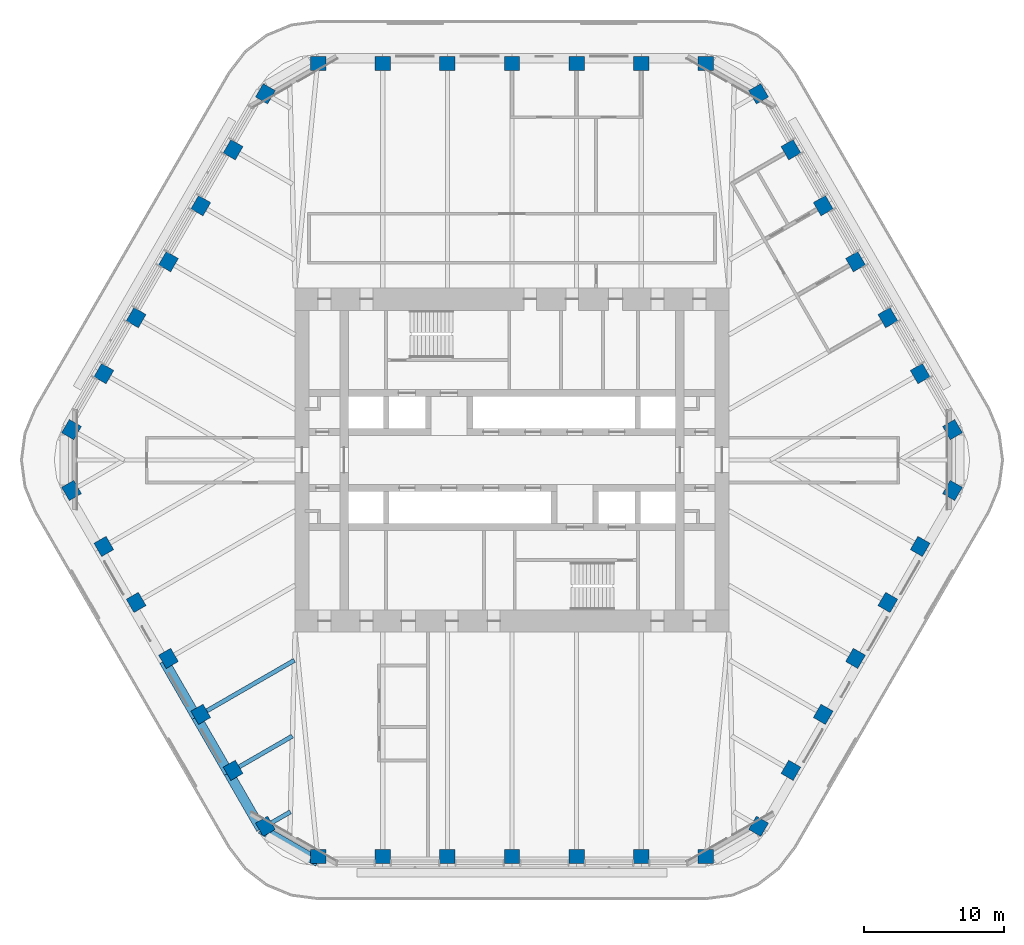
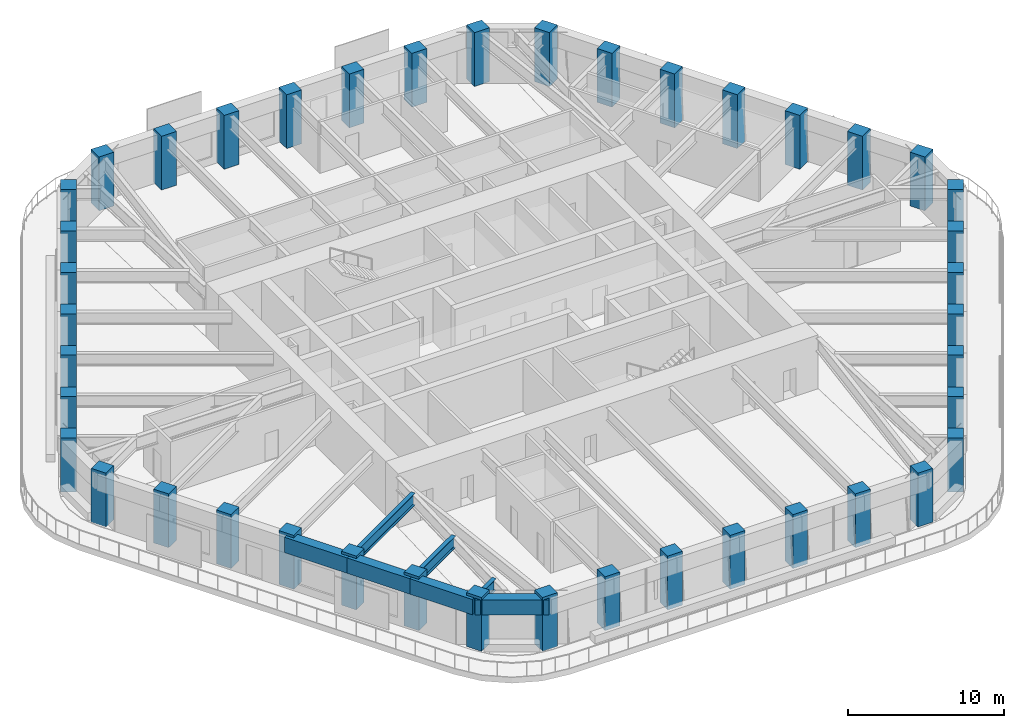
# One storey, part 1 of 20: 42 columns, 7 beams.
"""IFC4 building model written with IfcOpenShell, lengths in metres."""

import ifcopenshell
import ifcopenshell.guid

model = None  # the IFC model being written
_history = None  # IfcOwnerHistory: only IFC2X3 demands one
_inside = {}  # id of a spatial element -> (the spatial element, [elements in it])
_under = {}  # id of a project, library or spatial element -> (it, [spatial elements below it])
_declared = {}  # id of a project -> (the project, [libraries it declares])
_typed = {}  # id of a type object -> (the type object, [elements of that type])
_made_of = {}  # id of a material, layer set ... -> (it, [elements and type objects made of it])


def new_model(schema):
    """Start an empty IFC model of exactly this schema.

    Asked for "IFC4X3", IfcOpenShell would pick the latest addendum, in which some entities
    have other attributes; the version numbers below select the first issue.
    IFC2X3 requires an IfcOwnerHistory on every rooted entity: one is made here for all.
    """
    global model, _history
    if schema == "IFC4X3":
        model = ifcopenshell.file(schema_version=(4, 3, 0, 0))
    else:
        model = ifcopenshell.file(schema=schema)
    _inside.clear()
    _under.clear()
    _declared.clear()
    _typed.clear()
    _made_of.clear()
    _history = None
    if model.schema == "IFC2X3":
        org = make("IfcOrganization", Name="unknown")
        user = make(
            "IfcPersonAndOrganization",
            ThePerson=make("IfcPerson", FamilyName="unknown"),
            TheOrganization=org,
        )
        app = make(
            "IfcApplication",
            ApplicationDeveloper=org,
            Version="unknown",
            ApplicationFullName="unknown",
            ApplicationIdentifier="unknown",
        )
        _history = make(
            "IfcOwnerHistory",
            OwningUser=user,
            OwningApplication=app,
            ChangeAction="ADDED",
            CreationDate=0,
        )
    return model


def make(cls, **values):
    """One entity of the class cls with the attributes given. An attribute that is None is left unset."""
    return model.create_entity(
        cls, **{name: value for name, value in values.items() if value is not None}
    )


def rooted(cls, **values):
    """An entity with a GlobalId (a new one), such as an element, a storey or a relation."""
    return make(cls, GlobalId=ifcopenshell.guid.new(), OwnerHistory=_history, **values)


def si_unit(unit_type, name, prefix=None):
    """IfcSIUnit, for example si_unit("LENGTHUNIT", "METRE", prefix="MILLI")."""
    return make("IfcSIUnit", UnitType=unit_type, Prefix=prefix, Name=name)


def assignment(units):
    """IfcUnitAssignment: the units of a project."""
    return None if units is None else make("IfcUnitAssignment", Units=units)


def point(xyz):
    """IfcCartesianPoint."""
    return None if xyz is None else make("IfcCartesianPoint", Coordinates=xyz)


def direction(xyz):
    """IfcDirection."""
    return None if xyz is None else make("IfcDirection", DirectionRatios=xyz)


def frame(location, z_axis=None, x_axis=None):
    """IfcAxis2Placement3D, a coordinate frame: its origin and axes. An axis left out is left unset."""
    return make(
        "IfcAxis2Placement3D",
        Location=point(location),
        Axis=direction(z_axis),
        RefDirection=direction(x_axis),
    )


def frame_2d(location, x_axis=None):
    """IfcAxis2Placement2D, a coordinate frame in the plane: its origin and x axis."""
    return make(
        "IfcAxis2Placement2D", Location=point(location), RefDirection=direction(x_axis)
    )


def origin():
    """The frame at (0, 0, 0) with its axes left unset."""
    return frame((0.0, 0.0, 0.0))


def origin_2d():
    """The frame at (0, 0) in the plane with its x axis left unset."""
    return frame_2d((0.0, 0.0))


def place(relative_to, where):
    """IfcLocalPlacement: puts the frame where relative to a parent placement (None: the world)."""
    return make(
        "IfcLocalPlacement", PlacementRelTo=relative_to, RelativePlacement=where
    )


def context(
    kind, dimensions, precision=None, world=None, true_north=None, identifier=None
):
    """IfcGeometricRepresentationContext, for example the 3D "Model" context."""
    return make(
        "IfcGeometricRepresentationContext",
        ContextIdentifier=identifier,
        ContextType=kind,
        CoordinateSpaceDimension=dimensions,
        Precision=precision,
        WorldCoordinateSystem=world,
        TrueNorth=true_north,
    )


def subcontext(parent, identifier, kind, view, scale=None):
    """IfcGeometricRepresentationSubContext, for example "Body" below "Model"."""
    return make(
        "IfcGeometricRepresentationSubContext",
        ContextIdentifier=identifier,
        ContextType=kind,
        ParentContext=parent,
        TargetScale=scale,
        TargetView=view,
    )


def project(units=None, contexts=None):
    """IfcProject with its units and contexts."""
    return rooted(
        "IfcProject",
        Name="project",
        RepresentationContexts=contexts,
        UnitsInContext=assignment(units),
    )


def spatial(cls, under=None, at=None, **own):
    """A site, building, storey or space (cls), placed at a placement, below another one or the project."""
    s = rooted(cls, ObjectPlacement=at, **own)
    if under is not None:
        _under.setdefault(under.id(), (under, []))[1].append(s)
    return s


def profile(cls, at=None, kind="AREA", **sizes):
    """A parametric profile (cls). Its sizes go by their IFC names, for example OverallWidth=200.0."""
    return make(cls, ProfileType=kind, Position=at, **sizes)


def rectangle(**sizes):
    """IfcRectangleProfileDef."""
    return profile("IfcRectangleProfileDef", **sizes)


def i_section(**sizes):
    """IfcIShapeProfileDef."""
    return profile("IfcIShapeProfileDef", **sizes)


def extrude(swept, where, along, depth):
    """IfcExtrudedAreaSolid: the profile swept, set in the frame where, extruded along a direction by depth."""
    return make(
        "IfcExtrudedAreaSolid",
        SweptArea=swept,
        Position=where,
        ExtrudedDirection=direction(along),
        Depth=depth,
    )


def shape(context_of_items, identifier, shape_type, items):
    """IfcShapeRepresentation: the items that make up one representation, for example the "Body"."""
    return make(
        "IfcShapeRepresentation",
        ContextOfItems=context_of_items,
        RepresentationIdentifier=identifier,
        RepresentationType=shape_type,
        Items=items,
    )


def material(Name=None, Category=None):
    """IfcMaterial."""
    return make("IfcMaterial", Name=Name, Category=Category)


def material_profile(
    of_material, cross_section, Name=None, Category=None, Priority=None
):
    """IfcMaterialProfile: a cross section and its material."""
    return make(
        "IfcMaterialProfile",
        Name=Name,
        Material=of_material,
        Profile=cross_section,
        Priority=Priority,
        Category=Category,
    )


def profile_set(profiles, Name=None, composite=None):
    """IfcMaterialProfileSet."""
    return make(
        "IfcMaterialProfileSet",
        Name=Name,
        MaterialProfiles=profiles,
        CompositeProfile=composite,
    )


def made_of(thing, what):
    """Note that an element or type object is made of a material, layer set ...; save() writes the relation."""
    if what is not None:
        _made_of.setdefault(what.id(), (what, []))[1].append(thing)
    return thing


def type_object(cls, material=None, **own):
    """A type object (cls), such as IfcWallType, which elements share."""
    return made_of(rooted(cls, **own), material)


def element(
    cls,
    number,
    at=None,
    inside=None,
    cuts=None,
    type_object=None,
    material=None,
    context=None,
    identifier="Body",
    shape_type=None,
    held_by="IfcProductDefinitionShape",
    body=None,
    shapes=None,
    **own,
):
    """One element of the class cls, such as IfcWall. Its Tag is "e" and its number.

    at: its placement. inside: the storey or other place that contains it. cuts: it is an
    opening in that element (IfcRelVoidsElement). A single representation is given by context,
    identifier, shape_type and body (its items); several are given by shapes. held_by: the class
    of the entity that holds the representations. save() writes the other relations.
    """
    e = rooted(cls, Tag="e%d" % number, ObjectPlacement=at, **own)
    if body is not None:
        shapes = [shape(context, identifier, shape_type, body)]
    if shapes is not None:
        e.Representation = make(held_by, Representations=shapes)
    if inside is not None:
        _inside.setdefault(inside.id(), (inside, []))[1].append(e)
    if cuts is not None:
        rooted(
            "IfcRelVoidsElement", RelatingBuildingElement=cuts, RelatedOpeningElement=e
        )
    if type_object is not None:
        _typed.setdefault(type_object.id(), (type_object, []))[1].append(e)
    return made_of(e, material)


def aggregate(whole, parts):
    """IfcRelAggregates: a whole, such as a stair, and the parts it consists of."""
    return rooted("IfcRelAggregates", RelatingObject=whole, RelatedObjects=parts)


def save(model, path):
    """Write the relations noted so far, then the file.

    IfcRelAggregates (storeys below a building ...), IfcRelContainedInSpatialStructure (elements
    in a storey), IfcRelDefinesByType, IfcRelAssociatesMaterial and IfcRelDeclares: one each for
    every whole, place, type object, material and project.
    """
    for whole, parts in _under.values():
        aggregate(whole, parts)
    for where, things in _inside.values():
        rooted(
            "IfcRelContainedInSpatialStructure",
            RelatedElements=things,
            RelatingStructure=where,
        )
    for kind, things in _typed.values():
        rooted("IfcRelDefinesByType", RelatedObjects=things, RelatingType=kind)
    for what, things in _made_of.values():
        rooted("IfcRelAssociatesMaterial", RelatedObjects=things, RelatingMaterial=what)
    for by, libraries in _declared.values():
        rooted("IfcRelDeclares", RelatingContext=by, RelatedDefinitions=libraries)
    model.write(path)


model = new_model("IFC4")

# Units and contexts
model_context = context("Model", 3, precision=1e-05, world=origin(), true_north=direction((0.0, 1.0)))
body_context = subcontext(model_context, "Body", "Model", "MODEL_VIEW")
ifc_project = project(units=[si_unit("LENGTHUNIT", "METRE"), si_unit("AREAUNIT", "SQUARE_METRE"), si_unit("VOLUMEUNIT", "CUBIC_METRE"), si_unit("PLANEANGLEUNIT", "RADIAN"), si_unit("MASSUNIT", "GRAM", prefix="KILO")], contexts=[model_context])

# Site, building, storey
site_placement = place(None, origin())
site = spatial("IfcSite", under=ifc_project, at=site_placement, CompositionType="ELEMENT")
building_placement = place(site_placement, origin())
building = spatial("IfcBuilding", under=site, at=building_placement, Name="Tarfa Lantern Tower", CompositionType="ELEMENT")
storey_placement = place(building_placement, frame((0.0, 0.0, 291.10009765625)))
storey = spatial("IfcBuildingStorey", under=building, at=storey_placement, Name="L66", CompositionType="ELEMENT", Elevation=291.10009765625)

# Columns
ifc_material_1 = material(Name="Concrete C80/95", Category="concrete")
ifc_material_profile_1 = material_profile(ifc_material_1, rectangle(XDim=1.10009765625, YDim=1.0, at=origin_2d()), Name="RC 1100x1000")
ifc_profile_set_1 = profile_set([ifc_material_profile_1], Name="Concrete C80/95")
column_type = type_object("IfcColumnType", Name="TC12 RC 1100x1000", PredefinedType="COLUMN", material=ifc_profile_set_1)
for number, where, z_axis, x_axis, name in (
    (1, (31.47998046875, 2.175048828125, 0.0), (0.0, 0.0, 1.0), (-0.5, 0.866025403784, 0.0), "Tube column NE0"),
    (2, (29.170654296875, 6.175048828125, 0.0), (0.0, 0.0, 1.0), (-0.5, 0.866025403784, 0.0), "Tube column NE1"),
    (3, (26.861328125, 10.175048828125, 0.0), (0.0, 0.0, 1.0), (-0.5, 0.866025403784, 0.0), "Tube column NE2"),
    (4, (24.5517578125, 14.175048828125, 0.0), (0.0, 0.0, 1.0), (-0.5, 0.866025403784, 0.0), "Tube column NE3"),
    (5, (22.242431640625, 18.175048828125, 0.0), (0.0, 0.0, 1.0), (-0.5, 0.866025403784, 0.0), "Tube column NE4"),
    (6, (19.93310546875, 22.175048828125, 0.0), (0.0, 0.0, 1.0), (-0.5, 0.866025403784, 0.0), "Tube column NE5"),
    (7, (17.62353515625, 26.175048828125, 0.0), (0.0, 0.0, 1.0), (-0.5, 0.866025403784, 0.0), "Tube column NE6"),
    (8, (13.8564453125, 28.35009765625, 0.0), (0.0, 0.0, 1.0), (-1.0, 0.0, 0.0), "Tube column N0"),
    (9, (9.237548828125, 28.35009765625, 0.0), (0.0, 0.0, 1.0), (-1.0, 0.0, 0.0), "Tube column N1"),
    (10, (4.618896484375, 28.35009765625, 0.0), (0.0, 0.0, 1.0), (-1.0, 0.0, 0.0), "Tube column N2"),
    (11, (0.0, 28.35009765625, 0.0), (0.0, 0.0, 1.0), (-1.0, 0.0, 0.0), "Tube column N3"),
    (12, (-4.618896484375, 28.35009765625, 0.0), (0.0, 0.0, 1.0), (-1.0, 0.0, 0.0), "Tube column N4"),
    (13, (-9.237548828125, 28.35009765625, 0.0), (0.0, 0.0, 1.0), (-1.0, 0.0, 0.0), "Tube column N5"),
    (14, (-13.8564453125, 28.35009765625, 0.0), (0.0, 0.0, 1.0), (-1.0, 0.0, 0.0), "Tube column N6"),
    (15, (-17.62353515625, 26.175048828125, 0.0), (0.0, 0.0, 1.0), (-0.5, -0.866025403784, 0.0), "Tube column NW0"),
    (16, (-19.93310546875, 22.175048828125, 0.0), (0.0, 0.0, 1.0), (-0.5, -0.866025403784, 0.0), "Tube column NW1"),
    (17, (-22.242431640625, 18.175048828125, 0.0), (0.0, 0.0, 1.0), (-0.5, -0.866025403784, 0.0), "Tube column NW2"),
    (18, (-24.5517578125, 14.175048828125, 0.0), (0.0, 0.0, 1.0), (-0.5, -0.866025403784, 0.0), "Tube column NW3"),
    (19, (-26.861328125, 10.175048828125, 0.0), (0.0, 0.0, 1.0), (-0.5, -0.866025403784, 0.0), "Tube column NW4"),
    (20, (-29.170654296875, 6.175048828125, 0.0), (0.0, 0.0, 1.0), (-0.5, -0.866025403784, 0.0), "Tube column NW5"),
    (21, (-31.47998046875, 2.175048828125, 0.0), (0.0, 0.0, 1.0), (-0.5, -0.866025403784, 0.0), "Tube column NW6"),
    (22, (-31.47998046875, -2.175048828125, 0.0), (0.0, 0.0, 1.0), (0.5, -0.866025403784, 0.0), "Tube column SW0"),
    (23, (-29.170654296875, -6.175048828125, 0.0), (0.0, 0.0, 1.0), (0.5, -0.866025403784, 0.0), "Tube column SW1"),
    (24, (-26.861328125, -10.175048828125, 0.0), (0.0, 0.0, 1.0), (0.5, -0.866025403784, 0.0), "Tube column SW2"),
    (25, (-24.5517578125, -14.175048828125, 0.0), (0.0, 0.0, 1.0), (0.5, -0.866025403784, 0.0), "Tube column SW3"),
    (26, (-22.242431640625, -18.175048828125, 0.0), (0.0, 0.0, 1.0), (0.5, -0.866025403784, 0.0), "Tube column SW4"),
    (27, (-19.93310546875, -22.175048828125, 0.0), (0.0, 0.0, 1.0), (0.5, -0.866025403784, 0.0), "Tube column SW5"),
    (28, (-17.62353515625, -26.175048828125, 0.0), (0.0, 0.0, 1.0), (0.5, -0.866025403784, 0.0), "Tube column SW6"),
    (29, (-13.8564453125, -28.35009765625, 0.0), (0.0, 0.0, 1.0), (1.0, 0.0, 0.0), "Tube column S0"),
    (30, (-9.237548828125, -28.35009765625, 0.0), (0.0, 0.0, 1.0), (1.0, 0.0, 0.0), "Tube column S1"),
    (31, (-4.618896484375, -28.35009765625, 0.0), (0.0, 0.0, 1.0), (1.0, 0.0, 0.0), "Tube column S2"),
    (32, (0.0, -28.35009765625, 0.0), (0.0, 0.0, 1.0), (1.0, 0.0, 0.0), "Tube column S3"),
    (33, (4.618896484375, -28.35009765625, 0.0), (0.0, 0.0, 1.0), (1.0, 0.0, 0.0), "Tube column S4"),
    (34, (9.237548828125, -28.35009765625, 0.0), (0.0, 0.0, 1.0), (1.0, 0.0, 0.0), "Tube column S5"),
    (35, (13.8564453125, -28.35009765625, 0.0), (0.0, 0.0, 1.0), (1.0, 0.0, 0.0), "Tube column S6"),
    (36, (17.62353515625, -26.175048828125, 0.0), (0.0, 0.0, 1.0), (0.5, 0.866025403784, 0.0), "Tube column SE0"),
    (37, (19.93310546875, -22.175048828125, 0.0), (0.0, 0.0, 1.0), (0.5, 0.866025403784, 0.0), "Tube column SE1"),
    (38, (22.242431640625, -18.175048828125, 0.0), (0.0, 0.0, 1.0), (0.5, 0.866025403784, 0.0), "Tube column SE2"),
    (39, (24.5517578125, -14.175048828125, 0.0), (0.0, 0.0, 1.0), (0.5, 0.866025403784, 0.0), "Tube column SE3"),
    (40, (26.861328125, -10.175048828125, 0.0), (0.0, 0.0, 1.0), (0.5, 0.866025403784, 0.0), "Tube column SE4"),
    (41, (29.170654296875, -6.175048828125, 0.0), (0.0, 0.0, 1.0), (0.5, 0.866025403784, 0.0), "Tube column SE5"),
    (42, (31.47998046875, -2.175048828125, 0.0), (0.0, 0.0, 1.0), (0.5, 0.866025403784, 0.0), "Tube column SE6"),
):
    element("IfcColumn", number, at=place(storey_placement, frame(where, z_axis=z_axis, x_axis=x_axis)), inside=storey, type_object=column_type, Name=name, PredefinedType="COLUMN", context=body_context, shape_type="SweptSolid", body=[
        extrude(rectangle(XDim=1.10009765625, YDim=1.0, at=origin_2d()), origin(), (0.0, 0.0, 1.0), 4.199951171875),
    ])

# Beams
ifc_material_profile_2 = material_profile(ifc_material_1, rectangle(XDim=0.699951171875, YDim=1.199951171875, at=origin_2d()), Name="RC 700x1200")
ifc_profile_set_2 = profile_set([ifc_material_profile_2], Name="Concrete C80/95")
beam_type_1 = type_object("IfcBeamType", Name="EB3 RC 700x1200", PredefinedType="SPANDREL", material=ifc_profile_set_2)
beam_1_placement = place(storey_placement, frame((-24.872314453125, -14.360107421875, 3.39990234375), z_axis=(0.500027479704, -0.866009537788, 0.0), x_axis=(0.866009537788, 0.500027479704, 0.0)))
element("IfcBeam", 43, at=beam_1_placement, inside=storey, type_object=beam_type_1, Name="Edge beam SW3", PredefinedType="SPANDREL", context=body_context, shape_type="SweptSolid", body=[
    extrude(rectangle(XDim=0.699951171875, YDim=1.199951171875, at=origin_2d()), origin(), (0.0, 0.0, 1.0), 4.618896484375),
])
for number, where, z_axis, x_axis, name in (
    (44, (-22.562744140625, -18.360107421875, 3.39990234375), (0.499987836815, -0.866032426089, 0.0), (0.866032426089, 0.499987836815, 0.0), "Edge beam SW4"),
    (45, (-20.25341796875, -22.360107421875, 3.39990234375), (0.499987836815, -0.866032426089, 0.0), (0.866032426089, 0.499987836815, 0.0), "Edge beam SW5"),
):
    element("IfcBeam", number, at=place(storey_placement, frame(where, z_axis=z_axis, x_axis=x_axis)), inside=storey, type_object=beam_type_1, Name=name, PredefinedType="SPANDREL", context=body_context, shape_type="SweptSolid", body=[
        extrude(rectangle(XDim=0.699951171875, YDim=1.199951171875, at=origin_2d()), origin(), (0.0, 0.0, 1.0), 4.61865234375),
    ])
beam_2_placement = place(storey_placement, frame((-17.944091796875, -26.360107421875, 3.39990234375), z_axis=(0.866038294681, -0.499977671647, 0.0), x_axis=(0.499977671647, 0.866038294681, 0.0)))
element("IfcBeam", 46, at=beam_2_placement, inside=storey, type_object=beam_type_1, Name="Edge beam SW6", PredefinedType="SPANDREL", context=body_context, shape_type="SweptSolid", body=[
    extrude(rectangle(XDim=0.699951171875, YDim=1.199951171875, at=origin_2d()), origin(), (0.0, 0.0, 1.0), 4.719970703125),
])
ifc_material_2 = material(Name="Steel S460M", Category="steel")
ifc_material_profile_3 = material_profile(ifc_material_2, i_section(OverallWidth=0.305419921875, OverallDepth=0.91845703125, WebThickness=0.017333984375, FlangeThickness=0.02783203125, FilletRadius=0.01904296875, at=origin_2d()), Name="UB914x305x253")
ifc_profile_set_3 = profile_set([ifc_material_profile_3], Name="Steel S460M")
beam_type_2 = type_object("IfcBeamType", Name="UB914x305x253", PredefinedType="BEAM", material=ifc_profile_set_3)
beam_3_placement = place(storey_placement, frame((-22.562744140625, -18.360107421875, 3.540771484375), z_axis=(0.866010787764, 0.500025314835, 0.0), x_axis=(-0.500025314835, 0.866010787764, 0.0)))
element("IfcBeam", 47, at=beam_3_placement, inside=storey, type_object=beam_type_2, Name="Floor beam SW4", PredefinedType="BEAM", context=body_context, shape_type="SweptSolid", body=[
    extrude(i_section(OverallWidth=0.305419921875, OverallDepth=0.91845703125, WebThickness=0.017333984375, FlangeThickness=0.02783203125, FilletRadius=0.01904296875, at=origin_2d()), origin(), (0.0, 0.0, 1.0), 8.09423828125),
])
beam_4_placement = place(storey_placement, frame((-20.25341796875, -22.360107421875, 3.540771484375), z_axis=(0.86601951648, 0.500010196972, 0.0), x_axis=(-0.500010196972, 0.86601951648, 0.0)))
element("IfcBeam", 48, at=beam_4_placement, inside=storey, type_object=beam_type_2, Name="Floor beam SW5", PredefinedType="BEAM", context=body_context, shape_type="SweptSolid", body=[
    extrude(i_section(OverallWidth=0.305419921875, OverallDepth=0.91845703125, WebThickness=0.017333984375, FlangeThickness=0.02783203125, FilletRadius=0.01904296875, at=origin_2d()), origin(), (0.0, 0.0, 1.0), 5.263671875),
])
beam_5_placement = place(storey_placement, frame((-17.944091796875, -26.360107421875, 3.540771484375), z_axis=(0.865980009423, 0.5000786171, 0.0), x_axis=(-0.5000786171, 0.865980009423, 0.0)))
element("IfcBeam", 49, at=beam_5_placement, inside=storey, type_object=beam_type_2, Name="Floor beam SW6", PredefinedType="BEAM", context=body_context, shape_type="SweptSolid", body=[
    extrude(i_section(OverallWidth=0.305419921875, OverallDepth=0.91845703125, WebThickness=0.017333984375, FlangeThickness=0.02783203125, FilletRadius=0.01904296875, at=origin_2d()), origin(), (0.0, 0.0, 1.0), 2.4326171875),
])

save(model, "model.ifc")
